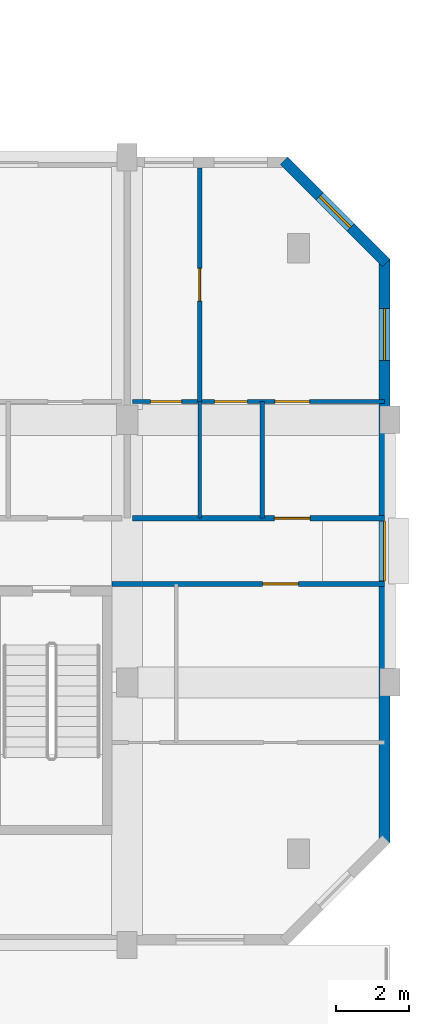
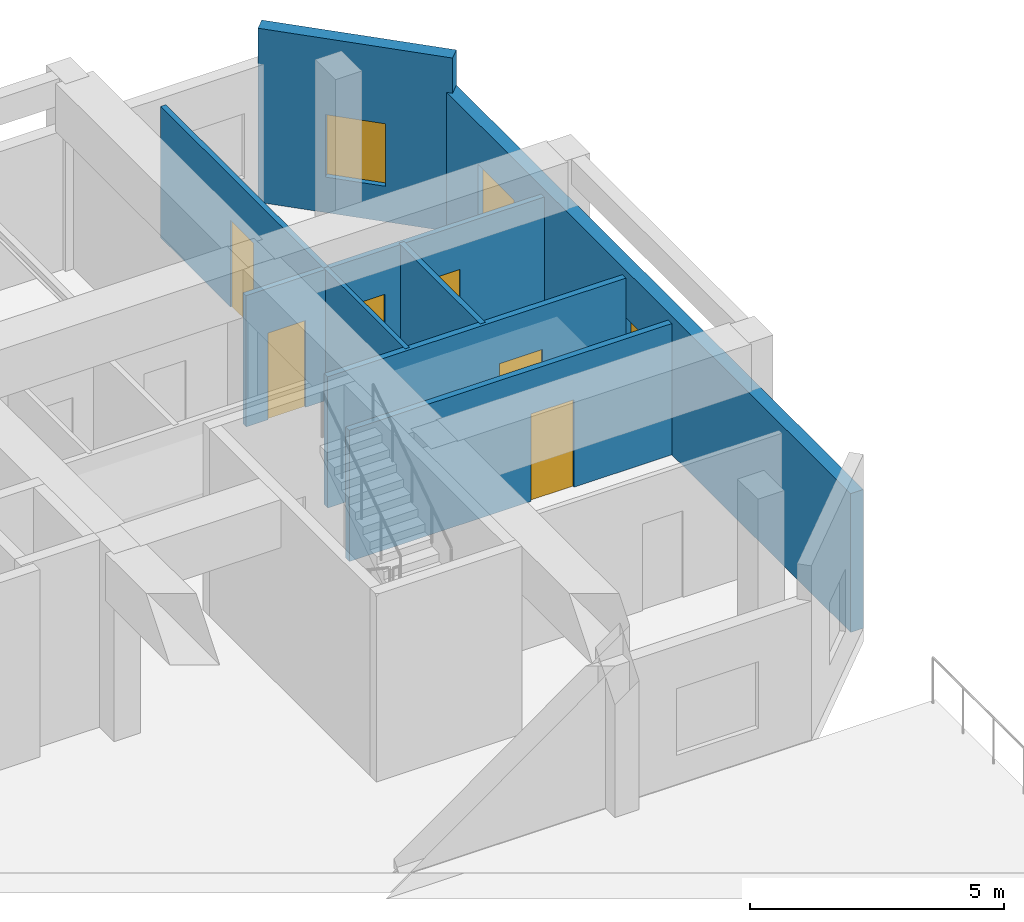
# One storey, part 70 of 85: 8 walls, 6 doors, 3 windows, 9 openings.
"""IFC4 building model written with IfcOpenShell, lengths in metres."""

from ifc_helpers import new_model, si_unit, direction, frame, frame_2d, origin, place, context, subcontext, project, spatial, rectangle, extrude, material, layer, layer_set, type_object, element, fill, save


model = new_model("IFC4")

# Units and contexts
model_context = context("Model", 3, precision=1e-05, world=origin(), true_north=direction((0.0, 1.0)))
body_context = subcontext(model_context, "Body", "Model", "MODEL_VIEW")
ifc_project = project(units=[si_unit("LENGTHUNIT", "METRE"), si_unit("AREAUNIT", "SQUARE_METRE"), si_unit("VOLUMEUNIT", "CUBIC_METRE"), si_unit("PLANEANGLEUNIT", "RADIAN"), si_unit("MASSUNIT", "GRAM", prefix="KILO")], contexts=[model_context])

# Site, building, storey
site_placement = place(None, origin())
site = spatial("IfcSite", under=ifc_project, at=site_placement, CompositionType="ELEMENT")
building_placement = place(site_placement, origin())
building = spatial("IfcBuilding", under=site, at=building_placement, Name="Ochrevale Crest", CompositionType="ELEMENT")
storey_placement = place(building_placement, origin())
storey = spatial("IfcBuildingStorey", under=building, at=storey_placement, Name="L00", CompositionType="ELEMENT", Elevation=0.0)

# Wall, opening, door
ifc_material_1 = material(Name="Gypsum plasterboard", Category="gypsum")
ifc_layer_1 = layer(ifc_material_1, 0.139892578125)
ifc_layer_set_1 = layer_set([ifc_layer_1], Name="Gypsum plasterboard")
wall_type_1 = type_object("IfcWallType", Name="WL-COR-140", PredefinedType="PARTITIONING", material=ifc_layer_set_1)
wall_1_placement = place(storey_placement, frame((158.5400390625, 83.699951171875, 0.0), z_axis=(0.0, 0.0, 1.0), x_axis=(1.0, 0.0, 0.0)))
wall_1 = element("IfcWall", 1, at=wall_1_placement, inside=storey, type_object=wall_type_1, Name="Apartment D-L00-U5 corridor wall", PredefinedType="PARTITIONING", context=body_context, shape_type="SweptSolid", body=[
    extrude(rectangle(XDim=6.919921875, YDim=0.139892578125, at=frame_2d((3.4599609375, 0.0))), origin(), (0.0, 0.0, 1.0), 3.14990234375),
])
opening_1_placement = place(wall_1_placement, frame((4.875, 0.0, 0.0), z_axis=(0.0, 0.0, 1.0), x_axis=(-1.0, 0.0, 0.0)))
opening_1 = element("IfcOpeningElement", 2, at=opening_1_placement, cuts=wall_1, Name="Opening FD01", PredefinedType="OPENING", context=body_context, shape_type="SweptSolid", body=[
    extrude(rectangle(XDim=0.97998046875, YDim=2.10009765625, at=frame_2d((0.489990234375, 1.050048828125))), frame((0.0, 0.080078125, 0.0), z_axis=(0.0, -1.0, 0.0), x_axis=(1.0, 0.0, 0.0)), (0.0, 0.0, 1.0), 0.159912109375),
])
ifc_material_2 = material(Name="Solid-core FSC hardwood", Category="wood")
door_type_1 = type_object("IfcDoorType", Name="DR-APT-950", OperationType="NOTDEFINED", PredefinedType="DOOR", material=ifc_material_2)
door_1_placement = place(opening_1_placement, origin())
door_1 = element("IfcDoor", 3, at=door_1_placement, inside=storey, type_object=door_type_1, Name="Apartment D-L00-U5 entrance door", OperationType="SINGLE_SWING_RIGHT", OverallHeight=2.10009765625, OverallWidth=0.97998046875, PredefinedType="DOOR", context=body_context, shape_type="SweptSolid", body=[
    extrude(rectangle(XDim=0.97998046875, YDim=2.10009765625, at=frame_2d((0.489990234375, 1.050048828125))), frame((0.0, 0.02490234375, 0.0), z_axis=(0.0, -1.0, 0.0), x_axis=(1.0, 0.0, 0.0)), (0.0, 0.0, 1.0), 0.050048828125),
])
fill(opening_1, door_1)

wall_2_placement = place(storey_placement, frame((157.989990234375, 81.89990234375, 0.0), z_axis=(0.0, 0.0, 1.0), x_axis=(1.0, 0.0, 0.0)))
wall_2 = element("IfcWall", 4, at=wall_2_placement, inside=storey, type_object=wall_type_1, Name="Suite D-L00-CE corridor wall", PredefinedType="PARTITIONING", context=body_context, shape_type="SweptSolid", body=[
    extrude(rectangle(XDim=7.469970703125, YDim=0.139892578125, at=frame_2d((3.73486328125, 0.0))), origin(), (0.0, 0.0, 1.0), 3.14990234375),
])
opening_2_placement = place(wall_2_placement, frame((5.10009765625, 0.0, 0.0), z_axis=(0.0, 0.0, 1.0), x_axis=(-1.0, 0.0, 0.0)))
opening_2 = element("IfcOpeningElement", 5, at=opening_2_placement, cuts=wall_2, Name="Opening FD01", PredefinedType="OPENING", context=body_context, shape_type="SweptSolid", body=[
    extrude(rectangle(XDim=0.97998046875, YDim=2.10009765625, at=frame_2d((0.489990234375, 1.050048828125))), frame((0.0, 0.080078125, 0.0), z_axis=(0.0, -1.0, 0.0), x_axis=(1.0, 0.0, 0.0)), (0.0, 0.0, 1.0), 0.159912109375),
])
door_2_placement = place(opening_2_placement, origin())
door_2 = element("IfcDoor", 6, at=door_2_placement, inside=storey, type_object=door_type_1, Name="Suite D-L00-CE entrance door", OperationType="SINGLE_SWING_RIGHT", OverallHeight=2.10009765625, OverallWidth=0.97998046875, PredefinedType="DOOR", context=body_context, shape_type="SweptSolid", body=[
    extrude(rectangle(XDim=0.97998046875, YDim=2.10009765625, at=frame_2d((0.489990234375, 1.050048828125))), frame((0.0, 0.02490234375, 0.0), z_axis=(0.0, -1.0, 0.0), x_axis=(1.0, 0.0, 0.0)), (0.0, 0.0, 1.0), 0.050048828125),
])
fill(opening_2, door_2)

# Wall, openings, windows
ifc_material_3 = material(Name="Clay face brickwork", Category="masonry")
ifc_layer_2 = layer(ifc_material_3, 0.2900390625)
ifc_layer_set_2 = layer_set([ifc_layer_2], Name="Clay face brickwork")
wall_type_2 = type_object("IfcWallType", Name="WL-EXT-BRICK-290", PredefinedType="SOLIDWALL", material=ifc_layer_set_2)
wall_3_placement = place(storey_placement, frame((165.455078125, 74.800048828125, 0.0), z_axis=(0.0, 0.0, 1.0), x_axis=(0.0, 1.0, 0.0)))
wall_3 = element("IfcWall", 7, at=wall_3_placement, inside=storey, type_object=wall_type_2, Name="Block D L00 external facade wall E3", PredefinedType="SOLIDWALL", context=body_context, shape_type="SweptSolid", body=[
    extrude(rectangle(XDim=16.0, YDim=0.2900390625, at=frame_2d((8.0, 0.0))), origin(), (0.0, 0.0, 1.0), 3.330078125),
])
opening_3_placement = place(wall_3_placement, frame((7.175048828125, 0.0, 1.050048828125)))
opening_3 = element("IfcOpeningElement", 8, at=opening_3_placement, cuts=wall_3, Name="Opening W19", PredefinedType="OPENING", context=body_context, shape_type="SweptSolid", body=[
    extrude(rectangle(XDim=1.64990234375, YDim=1.14990234375, at=frame_2d((0.824951171875, 0.574951171875))), frame((0.0, 0.155029296875, 0.0), z_axis=(0.0, -1.0, 0.0), x_axis=(1.0, 0.0, 0.0)), (0.0, 0.0, 1.0), 0.31005859375),
])
opening_4_placement = place(wall_3_placement, frame((13.22509765625, 0.0, 0.75)))
opening_4 = element("IfcOpeningElement", 9, at=opening_4_placement, cuts=wall_3, Name="Opening W31", PredefinedType="OPENING", context=body_context, shape_type="SweptSolid", body=[
    extrude(rectangle(XDim=1.419921875, YDim=1.60009765625, at=frame_2d((0.7099609375, 0.800048828125))), frame((0.0, 0.155029296875, 0.0), z_axis=(0.0, -1.0, 0.0), x_axis=(1.0, 0.0, 0.0)), (0.0, 0.0, 1.0), 0.31005859375),
])
ifc_material_4 = material(Name="Anodised aluminium 6063-T5 and low-E double glazing", Category="aluminium")
window_type_1 = type_object("IfcWindowType", Name="WIN-W19", PartitioningType="SINGLE_PANEL", PredefinedType="WINDOW", material=ifc_material_4)
window_1_placement = place(opening_3_placement, origin())
window_1 = element("IfcWindow", 10, at=window_1_placement, inside=storey, type_object=window_type_1, Name="Block D L00 corridor end daylight window E", OverallHeight=1.14990234375, OverallWidth=1.64990234375, PartitioningType="SINGLE_PANEL", PredefinedType="WINDOW", context=body_context, shape_type="SweptSolid", body=[
    extrude(rectangle(XDim=1.64990234375, YDim=1.14990234375, at=frame_2d((0.824951171875, 0.574951171875))), frame((0.0, 0.030029296875, 0.0), z_axis=(0.0, -1.0, 0.0), x_axis=(1.0, 0.0, 0.0)), (0.0, 0.0, 1.0), 0.06005859375),
])
fill(opening_3, window_1)
window_type_2 = type_object("IfcWindowType", Name="WIN-W31", PartitioningType="SINGLE_PANEL", PredefinedType="WINDOW", material=ifc_material_4)
window_2_placement = place(opening_4_placement, origin())
window_2 = element("IfcWindow", 11, at=window_2_placement, inside=storey, type_object=window_type_2, Name="Block D L00 side suite window E", OverallHeight=1.60009765625, OverallWidth=1.419921875, PartitioningType="SINGLE_PANEL", PredefinedType="WINDOW", context=body_context, shape_type="SweptSolid", body=[
    extrude(rectangle(XDim=1.419921875, YDim=1.60009765625, at=frame_2d((0.7099609375, 0.800048828125))), frame((0.0, 0.030029296875, 0.0), z_axis=(0.0, -1.0, 0.0), x_axis=(1.0, 0.0, 0.0)), (0.0, 0.0, 1.0), 0.06005859375),
])
fill(opening_4, window_2)

# Wall, opening, window
wall_4_placement = place(storey_placement, frame((165.49755859375, 90.697509765625, 0.0), z_axis=(0.0, 0.0, 1.0), x_axis=(-0.707106781187, 0.707106781187, 0.0)))
wall_4 = element("IfcWall", 12, at=wall_4_placement, inside=storey, type_object=wall_type_2, Name="Block D L00 external facade wall E4", PredefinedType="SOLIDWALL", context=body_context, shape_type="SweptSolid", body=[
    extrude(rectangle(XDim=3.9599609375, YDim=0.2900390625, at=frame_2d((1.97998046875, 0.0))), origin(), (0.0, 0.0, 1.0), 4.175048828125),
])
opening_5_placement = place(wall_4_placement, frame((1.369873046875, 0.0, 0.85009765625)))
opening_5 = element("IfcOpeningElement", 13, at=opening_5_placement, cuts=wall_4, Name="Opening W06", PredefinedType="OPENING", context=body_context, shape_type="SweptSolid", body=[
    extrude(rectangle(XDim=1.219970703125, YDim=1.5, at=frame_2d((0.60986328125, 0.75))), frame((0.0, 0.155029296875, 0.0), z_axis=(0.0, -1.0, 0.0), x_axis=(1.0, 0.0, 0.0)), (0.0, 0.0, 1.0), 0.31005859375),
])
window_type_3 = type_object("IfcWindowType", Name="WIN-W06", PartitioningType="SINGLE_PANEL", PredefinedType="WINDOW", material=ifc_material_4)
window_3_placement = place(opening_5_placement, origin())
window_3 = element("IfcWindow", 14, at=window_3_placement, inside=storey, type_object=window_type_3, Name="Block D L00 corner room casement window 4", OverallHeight=1.5, OverallWidth=1.219970703125, PartitioningType="SINGLE_PANEL", PredefinedType="WINDOW", context=body_context, shape_type="SweptSolid", body=[
    extrude(rectangle(XDim=1.219970703125, YDim=1.5, at=frame_2d((0.60986328125, 0.75))), frame((0.0, 0.030029296875, 0.0), z_axis=(0.0, -1.0, 0.0), x_axis=(1.0, 0.0, 0.0)), (0.0, 0.0, 1.0), 0.06005859375),
])
fill(opening_5, window_3)

# Wall
ifc_layer_3 = layer(ifc_material_1, 0.1201171875)
ifc_layer_set_3 = layer_set([ifc_layer_3], Name="Gypsum plasterboard")
wall_type_3 = type_object("IfcWallType", Name="WL-PART-120", PredefinedType="PARTITIONING", material=ifc_layer_set_3)
wall_5_placement = place(storey_placement, frame((162.10009765625, 83.699951171875, 0.0), z_axis=(0.0, 0.0, 1.0), x_axis=(0.0, 1.0, 0.0)))
element("IfcWall", 15, at=wall_5_placement, inside=storey, type_object=wall_type_3, Name="Apartment D-L00-U5 kitchen-foyer wall", PredefinedType="PARTITIONING", context=body_context, shape_type="SweptSolid", body=[
    extrude(rectangle(XDim=3.199951171875, YDim=0.1201171875, at=frame_2d((1.60009765625, 0.0))), origin(), (0.0, 0.0, 1.0), 3.14990234375),
])

# Wall, openings, doors
wall_6_placement = place(storey_placement, frame((158.5400390625, 86.89990234375, 0.0), z_axis=(0.0, 0.0, 1.0), x_axis=(1.0, 0.0, 0.0)))
wall_6 = element("IfcWall", 16, at=wall_6_placement, inside=storey, type_object=wall_type_3, Name="Apartment D-L00-U5 central partition", PredefinedType="PARTITIONING", context=body_context, shape_type="SweptSolid", body=[
    extrude(rectangle(XDim=6.919921875, YDim=0.1201171875, at=frame_2d((3.4599609375, 0.0))), origin(), (0.0, 0.0, 1.0), 3.14990234375),
])
opening_6_placement = place(wall_6_placement, frame((0.5, 0.0, 0.0)))
opening_6 = element("IfcOpeningElement", 17, at=opening_6_placement, cuts=wall_6, Name="Opening ID01", PredefinedType="OPENING", context=body_context, shape_type="SweptSolid", body=[
    extrude(rectangle(XDim=0.85009765625, YDim=2.080078125, at=frame_2d((0.425048828125, 1.0400390625))), frame((0.0, 0.070068359375, 0.0), z_axis=(0.0, -1.0, 0.0), x_axis=(1.0, 0.0, 0.0)), (0.0, 0.0, 1.0), 0.14013671875),
])
opening_7_placement = place(wall_6_placement, frame((3.15478515625, 0.0, 0.0), z_axis=(0.0, 0.0, 1.0), x_axis=(-1.0, 0.0, 0.0)))
opening_7 = element("IfcOpeningElement", 18, at=opening_7_placement, cuts=wall_6, Name="Opening ID02", PredefinedType="OPENING", context=body_context, shape_type="SweptSolid", body=[
    extrude(rectangle(XDim=0.89990234375, YDim=2.080078125, at=frame_2d((0.449951171875, 1.0400390625))), frame((0.0, 0.070068359375, 0.0), z_axis=(0.0, -1.0, 0.0), x_axis=(1.0, 0.0, 0.0)), (0.0, 0.0, 1.0), 0.14013671875),
])
opening_8_placement = place(wall_6_placement, frame((3.909912109375, 0.0, 0.0)))
opening_8 = element("IfcOpeningElement", 19, at=opening_8_placement, cuts=wall_6, Name="Opening ID06", PredefinedType="OPENING", context=body_context, shape_type="SweptSolid", body=[
    extrude(rectangle(XDim=0.949951171875, YDim=2.080078125, at=frame_2d((0.47509765625, 1.0400390625))), frame((0.0, 0.070068359375, 0.0), z_axis=(0.0, -1.0, 0.0), x_axis=(1.0, 0.0, 0.0)), (0.0, 0.0, 1.0), 0.14013671875),
])
door_type_2 = type_object("IfcDoorType", Name="DR-INT-900", OperationType="NOTDEFINED", PredefinedType="DOOR", material=ifc_material_2)
door_3_placement = place(opening_7_placement, origin())
door_3 = element("IfcDoor", 20, at=door_3_placement, inside=storey, type_object=door_type_2, Name="Apartment D-L00-U5 Kitchen door", OperationType="SINGLE_SWING_RIGHT", OverallHeight=2.080078125, OverallWidth=0.89990234375, PredefinedType="DOOR", context=body_context, shape_type="SweptSolid", body=[
    extrude(rectangle(XDim=0.89990234375, YDim=2.080078125, at=frame_2d((0.449951171875, 1.0400390625))), frame((0.0, 0.02490234375, 0.0), z_axis=(0.0, -1.0, 0.0), x_axis=(1.0, 0.0, 0.0)), (0.0, 0.0, 1.0), 0.050048828125),
])
fill(opening_7, door_3)
door_type_3 = type_object("IfcDoorType", Name="DR-INT-950", OperationType="NOTDEFINED", PredefinedType="DOOR", material=ifc_material_2)
door_4_placement = place(opening_8_placement, origin())
door_4 = element("IfcDoor", 21, at=door_4_placement, inside=storey, type_object=door_type_3, Name="Apartment D-L00-U5 Living Foyer door", OperationType="SINGLE_SWING_LEFT", OverallHeight=2.080078125, OverallWidth=0.949951171875, PredefinedType="DOOR", context=body_context, shape_type="SweptSolid", body=[
    extrude(rectangle(XDim=0.949951171875, YDim=2.080078125, at=frame_2d((0.47509765625, 1.0400390625))), frame((0.0, 0.02490234375, 0.0), z_axis=(0.0, -1.0, 0.0), x_axis=(1.0, 0.0, 0.0)), (0.0, 0.0, 1.0), 0.050048828125),
])
fill(opening_8, door_4)
door_type_4 = type_object("IfcDoorType", Name="DR-WC-850", OperationType="NOTDEFINED", PredefinedType="DOOR", material=ifc_material_2)
door_5_placement = place(opening_6_placement, origin())
door_5 = element("IfcDoor", 22, at=door_5_placement, inside=storey, type_object=door_type_4, Name="Apartment D-L00-U5 Bathroom door", OperationType="SINGLE_SWING_LEFT", OverallHeight=2.080078125, OverallWidth=0.85009765625, PredefinedType="DOOR", context=body_context, shape_type="SweptSolid", body=[
    extrude(rectangle(XDim=0.85009765625, YDim=2.080078125, at=frame_2d((0.425048828125, 1.0400390625))), frame((0.0, 0.02490234375, 0.0), z_axis=(0.0, -1.0, 0.0), x_axis=(1.0, 0.0, 0.0)), (0.0, 0.0, 1.0), 0.050048828125),
])
fill(opening_6, door_5)

# Wall, opening, door
wall_7_placement = place(storey_placement, frame((160.389892578125, 86.89990234375, 0.0), z_axis=(0.0, 0.0, 1.0), x_axis=(0.0, 1.0, 0.0)))
wall_7 = element("IfcWall", 23, at=wall_7_placement, inside=storey, type_object=wall_type_3, Name="Apartment D-L00-U5 bedroom partition", PredefinedType="PARTITIONING", context=body_context, shape_type="SweptSolid", body=[
    extrude(rectangle(XDim=6.400146484375, YDim=0.1201171875, at=frame_2d((3.2001953125, 0.0))), origin(), (0.0, 0.0, 1.0), 3.14990234375),
])
opening_9_placement = place(wall_7_placement, frame((3.64990234375, 0.0, 0.0), z_axis=(0.0, 0.0, 1.0), x_axis=(-1.0, 0.0, 0.0)))
opening_9 = element("IfcOpeningElement", 24, at=opening_9_placement, cuts=wall_7, Name="Opening ID02", PredefinedType="OPENING", context=body_context, shape_type="SweptSolid", body=[
    extrude(rectangle(XDim=0.89990234375, YDim=2.080078125, at=frame_2d((0.449951171875, 1.0400390625))), frame((0.0, 0.070068359375, 0.0), z_axis=(0.0, -1.0, 0.0), x_axis=(1.0, 0.0, 0.0)), (0.0, 0.0, 1.0), 0.14013671875),
])
door_6_placement = place(opening_9_placement, origin())
door_6 = element("IfcDoor", 25, at=door_6_placement, inside=storey, type_object=door_type_2, Name="Apartment D-L00-U5 Double Bedroom door", OperationType="SINGLE_SWING_RIGHT", OverallHeight=2.080078125, OverallWidth=0.89990234375, PredefinedType="DOOR", context=body_context, shape_type="SweptSolid", body=[
    extrude(rectangle(XDim=0.89990234375, YDim=2.080078125, at=frame_2d((0.449951171875, 1.0400390625))), frame((0.0, 0.02490234375, 0.0), z_axis=(0.0, -1.0, 0.0), x_axis=(1.0, 0.0, 0.0)), (0.0, 0.0, 1.0), 0.050048828125),
])
fill(opening_9, door_6)

# Wall
ifc_layer_4 = layer(ifc_material_1, 0.10009765625)
ifc_layer_set_4 = layer_set([ifc_layer_4], Name="Gypsum plasterboard")
wall_type_4 = type_object("IfcWallType", Name="WL-WET-100", PredefinedType="PARTITIONING", material=ifc_layer_set_4)
wall_8_placement = place(storey_placement, frame((160.389892578125, 83.699951171875, 0.0), z_axis=(0.0, 0.0, 1.0), x_axis=(0.0, 1.0, 0.0)))
element("IfcWall", 26, at=wall_8_placement, inside=storey, type_object=wall_type_4, Name="Apartment D-L00-U5 bath-kitchen wall", PredefinedType="PARTITIONING", context=body_context, shape_type="SweptSolid", body=[
    extrude(rectangle(XDim=3.199951171875, YDim=0.10009765625, at=frame_2d((1.60009765625, 0.0))), origin(), (0.0, 0.0, 1.0), 3.14990234375),
])

save(model, "model.ifc")
